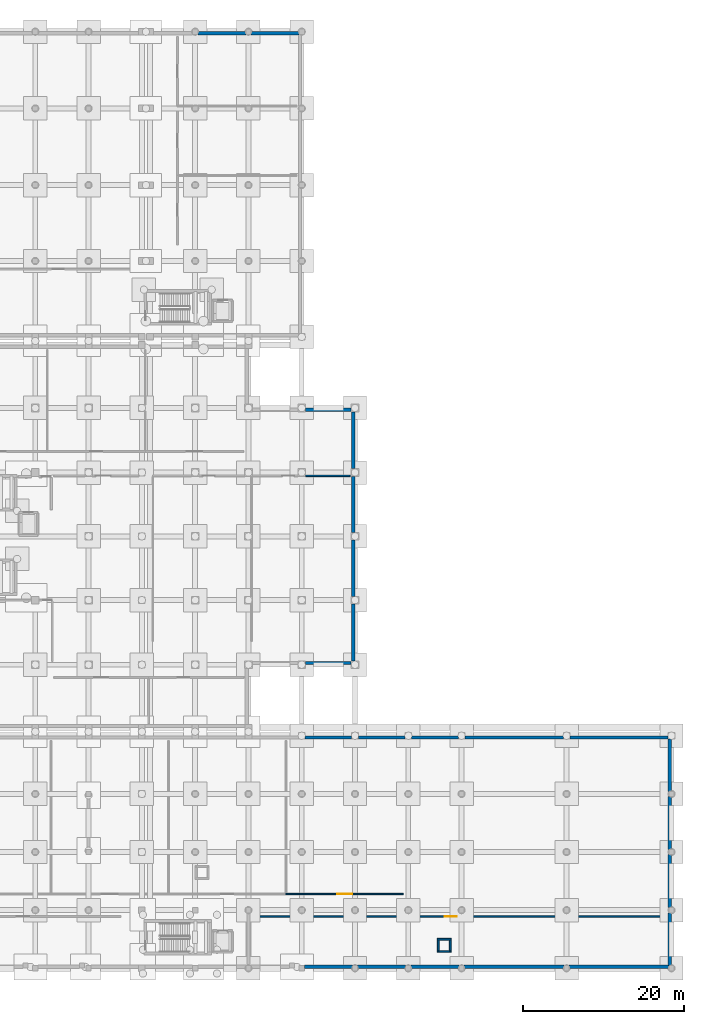
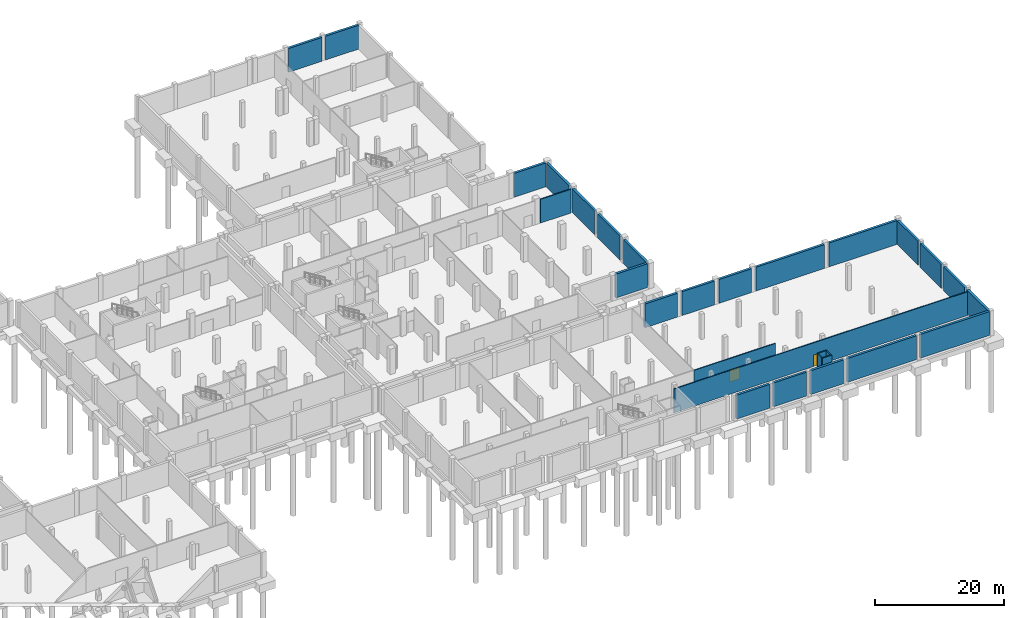
# One storey, part 21 of 29: 29 walls, 2 doors, 2 openings.
"""IFC4 building model written with IfcOpenShell, lengths in metres."""

from ifc_helpers import new_model, si_unit, direction, frame, frame_2d, origin, place, context, subcontext, project, spatial, rectangle, extrude, material, layer, layer_set, type_object, element, fill, save


model = new_model("IFC4")

# Units and contexts
model_context = context("Model", 3, precision=1e-05, world=origin(), true_north=direction((0.0, 1.0)))
body_context = subcontext(model_context, "Body", "Model", "MODEL_VIEW")
ifc_project = project(units=[si_unit("LENGTHUNIT", "METRE"), si_unit("AREAUNIT", "SQUARE_METRE"), si_unit("VOLUMEUNIT", "CUBIC_METRE"), si_unit("PLANEANGLEUNIT", "RADIAN"), si_unit("MASSUNIT", "GRAM", prefix="KILO")], contexts=[model_context])

# Site, building, storey
site_placement = place(None, origin())
site = spatial("IfcSite", under=ifc_project, at=site_placement, CompositionType="ELEMENT")
building_placement = place(site_placement, origin())
building = spatial("IfcBuilding", under=site, at=building_placement, Name="Kelarvand Opera House", CompositionType="ELEMENT")
storey_placement = place(building_placement, frame((0.0, 0.0, -9.60009765625)))
storey = spatial("IfcBuildingStorey", under=building, at=storey_placement, Name="B2", CompositionType="ELEMENT", Elevation=-9.60009765625)

# Walls
ifc_material_1 = material(Name="Concrete C35/45", Category="concrete")
ifc_layer_1 = layer(ifc_material_1, 0.419921875, Name="Concrete C35/45", Category="concrete")
ifc_layer_set_1 = layer_set([ifc_layer_1], Name="Concrete C35/45")
wall_type_1 = type_object("IfcWallType", Name="Basement Perimeter Retaining Wall 420", PredefinedType="SHEAR", material=ifc_layer_set_1)
wall_1_placement = place(storey_placement, frame((135.675048828125, 78.18994140625, 0.0), z_axis=(0.0, 0.0, 1.0), x_axis=(1.0, 0.0, 0.0)))
element("IfcWall", 1, at=wall_1_placement, inside=storey, type_object=wall_type_1, Name="V1 B2 Retaining Wall 21", PredefinedType="SHEAR", context=body_context, shape_type="SweptSolid", body=[
    extrude(rectangle(XDim=5.64990234375, YDim=0.419921875, at=frame_2d((2.824951171875, 0.0))), origin(), (0.0, 0.0, 1.0), 4.5),
])
wall_2_placement = place(storey_placement, frame((141.590087890625, 77.925048828125, 0.0), z_axis=(0.0, 0.0, 1.0), x_axis=(0.0, -1.0, 0.0)))
element("IfcWall", 2, at=wall_2_placement, inside=storey, type_object=wall_type_1, Name="V1 B2 Retaining Wall 22", PredefinedType="SHEAR", context=body_context, shape_type="SweptSolid", body=[
    extrude(rectangle(XDim=7.050048828125, YDim=0.419921875, at=frame_2d((3.52490234375, 0.0))), origin(), (0.0, 0.0, 1.0), 4.5),
])
for number, where, z_axis, x_axis, name in (
    (3, (141.590087890625, 69.925048828125, 0.0), (0.0, 0.0, 1.0), (0.0, -1.0, 0.0), "V1 B2 Retaining Wall 23"),
    (4, (141.590087890625, 62.02490234375, 0.0), (0.0, 0.0, 1.0), (0.0, -1.0, 0.0), "V1 B2 Retaining Wall 24"),
):
    element("IfcWall", number, at=place(storey_placement, frame(where, z_axis=z_axis, x_axis=x_axis)), inside=storey, type_object=wall_type_1, Name=name, PredefinedType="SHEAR", context=body_context, shape_type="SweptSolid", body=[
        extrude(rectangle(XDim=6.949951171875, YDim=0.419921875, at=frame_2d((3.47509765625, 0.0))), origin(), (0.0, 0.0, 1.0), 4.5),
    ])
wall_3_placement = place(storey_placement, frame((141.590087890625, 54.125, 0.0), z_axis=(0.0, 0.0, 1.0), x_axis=(0.0, -1.0, 0.0)))
element("IfcWall", 5, at=wall_3_placement, inside=storey, type_object=wall_type_1, Name="V1 B2 Retaining Wall 25", PredefinedType="SHEAR", context=body_context, shape_type="SweptSolid", body=[
    extrude(rectangle(XDim=7.050048828125, YDim=0.419921875, at=frame_2d((3.52490234375, 0.0))), origin(), (0.0, 0.0, 1.0), 4.5),
])
wall_4_placement = place(storey_placement, frame((141.324951171875, 46.81005859375, 0.0), z_axis=(0.0, 0.0, 1.0), x_axis=(-1.0, 0.0, 0.0)))
element("IfcWall", 6, at=wall_4_placement, inside=storey, type_object=wall_type_1, Name="V1 B2 Retaining Wall 26", PredefinedType="SHEAR", context=body_context, shape_type="SweptSolid", body=[
    extrude(rectangle(XDim=5.64990234375, YDim=0.419921875, at=frame_2d((2.824951171875, 0.0))), origin(), (0.0, 0.0, 1.0), 4.5),
])
for number, where, z_axis, x_axis, name in (
    (7, (122.324951171875, 124.7900390625, 0.0), (0.0, 0.0, 1.0), (1.0, 0.0, 0.0), "V5 B2 Retaining Wall 563"),
    (8, (128.925048828125, 124.7900390625, 0.0), (0.0, 0.0, 1.0), (1.0, 0.0, 0.0), "V5 B2 Retaining Wall 564"),
):
    element("IfcWall", number, at=place(storey_placement, frame(where, z_axis=z_axis, x_axis=x_axis)), inside=storey, type_object=wall_type_1, Name=name, PredefinedType="SHEAR", context=body_context, shape_type="SweptSolid", body=[
        extrude(rectangle(XDim=5.949951171875, YDim=0.419921875, at=frame_2d((2.97509765625, 0.0))), origin(), (0.0, 0.0, 1.0), 4.5),
    ])
wall_5_placement = place(storey_placement, frame((180.7900390625, 37.389892578125, 0.0), z_axis=(0.0, 0.0, 1.0), x_axis=(0.0, -1.0, 0.0)))
element("IfcWall", 9, at=wall_5_placement, inside=storey, type_object=wall_type_1, Name="V6 B2 Retaining Wall 633", PredefinedType="SHEAR", context=body_context, shape_type="SweptSolid", body=[
    extrude(rectangle(XDim=6.46484375, YDim=0.419921875, at=frame_2d((3.232421875, 0.0))), origin(), (0.0, 0.0, 1.0), 4.5),
])
wall_6_placement = place(storey_placement, frame((180.7900390625, 30.27490234375, 0.0), z_axis=(0.0, 0.0, 1.0), x_axis=(0.0, -1.0, 0.0)))
element("IfcWall", 10, at=wall_6_placement, inside=storey, type_object=wall_type_1, Name="V6 B2 Retaining Wall 634", PredefinedType="SHEAR", context=body_context, shape_type="SweptSolid", body=[
    extrude(rectangle(XDim=6.5498046875, YDim=0.419921875, at=frame_2d((3.27490234375, 0.0))), origin(), (0.0, 0.0, 1.0), 4.5),
])
for number, where, z_axis, x_axis, name in (
    (11, (180.7900390625, 23.074951171875, 0.0), (0.0, 0.0, 1.0), (0.0, -1.0, 0.0), "V6 B2 Retaining Wall 635"),
    (12, (180.7900390625, 15.875, 0.0), (0.0, 0.0, 1.0), (0.0, -1.0, 0.0), "V6 B2 Retaining Wall 636"),
):
    element("IfcWall", number, at=place(storey_placement, frame(where, z_axis=z_axis, x_axis=x_axis)), inside=storey, type_object=wall_type_1, Name=name, PredefinedType="SHEAR", context=body_context, shape_type="SweptSolid", body=[
        extrude(rectangle(XDim=6.550048828125, YDim=0.419921875, at=frame_2d((3.27490234375, 0.0))), origin(), (0.0, 0.0, 1.0), 4.5),
    ])
wall_7_placement = place(storey_placement, frame((135.610107421875, 37.590087890625, 0.0), z_axis=(0.0, 0.0, 1.0), x_axis=(1.0, 0.0, 0.0)))
element("IfcWall", 13, at=wall_7_placement, inside=storey, type_object=wall_type_1, Name="V6 B2 Retaining Wall 644", PredefinedType="SHEAR", context=body_context, shape_type="SweptSolid", body=[
    extrude(rectangle(XDim=5.77978515625, YDim=0.419921875, at=frame_2d((2.889892578125, 0.0))), origin(), (0.0, 0.0, 1.0), 4.5),
])
for number, where, z_axis, x_axis, name in (
    (14, (142.2099609375, 37.590087890625, 0.0), (0.0, 0.0, 1.0), (1.0, 0.0, 0.0), "V6 B2 Retaining Wall 645"),
    (15, (148.81005859375, 37.590087890625, 0.0), (0.0, 0.0, 1.0), (1.0, 0.0, 0.0), "V6 B2 Retaining Wall 646"),
):
    element("IfcWall", number, at=place(storey_placement, frame(where, z_axis=z_axis, x_axis=x_axis)), inside=storey, type_object=wall_type_1, Name=name, PredefinedType="SHEAR", context=body_context, shape_type="SweptSolid", body=[
        extrude(rectangle(XDim=5.780029296875, YDim=0.419921875, at=frame_2d((2.89013671875, 0.0))), origin(), (0.0, 0.0, 1.0), 4.5),
    ])
for number, where, z_axis, x_axis, name in (
    (16, (155.409912109375, 37.590087890625, 0.0), (0.0, 0.0, 1.0), (1.0, 0.0, 0.0), "V6 B2 Retaining Wall 647"),
    (17, (168.409912109375, 37.590087890625, 0.0), (0.0, 0.0, 1.0), (1.0, 0.0, 0.0), "V6 B2 Retaining Wall 648"),
):
    element("IfcWall", number, at=place(storey_placement, frame(where, z_axis=z_axis, x_axis=x_axis)), inside=storey, type_object=wall_type_1, Name=name, PredefinedType="SHEAR", context=body_context, shape_type="SweptSolid", body=[
        extrude(rectangle(XDim=12.18017578125, YDim=0.419921875, at=frame_2d((6.090087890625, 0.0))), origin(), (0.0, 0.0, 1.0), 4.5),
    ])
for number, where, z_axis, x_axis, name in (
    (18, (180.675048828125, 9.2099609375, 0.0), (0.0, 0.0, 1.0), (-1.0, 0.0, 0.0), "V6 B2 Retaining Wall 653"),
    (19, (167.675048828125, 9.2099609375, 0.0), (0.0, 0.0, 1.0), (-1.0, 0.0, 0.0), "V6 B2 Retaining Wall 654"),
):
    element("IfcWall", number, at=place(storey_placement, frame(where, z_axis=z_axis, x_axis=x_axis)), inside=storey, type_object=wall_type_1, Name=name, PredefinedType="SHEAR", context=body_context, shape_type="SweptSolid", body=[
        extrude(rectangle(XDim=12.35009765625, YDim=0.419921875, at=frame_2d((6.175048828125, 0.0))), origin(), (0.0, 0.0, 1.0), 4.5),
    ])
for number, where, z_axis, x_axis, name in (
    (20, (154.675048828125, 9.2099609375, 0.0), (0.0, 0.0, 1.0), (-1.0, 0.0, 0.0), "V6 B2 Retaining Wall 655"),
    (21, (148.074951171875, 9.2099609375, 0.0), (0.0, 0.0, 1.0), (-1.0, 0.0, 0.0), "V6 B2 Retaining Wall 656"),
):
    element("IfcWall", number, at=place(storey_placement, frame(where, z_axis=z_axis, x_axis=x_axis)), inside=storey, type_object=wall_type_1, Name=name, PredefinedType="SHEAR", context=body_context, shape_type="SweptSolid", body=[
        extrude(rectangle(XDim=5.949951171875, YDim=0.419921875, at=frame_2d((2.97509765625, 0.0))), origin(), (0.0, 0.0, 1.0), 4.5),
    ])
wall_8_placement = place(storey_placement, frame((141.47509765625, 9.2099609375, 0.0), z_axis=(0.0, 0.0, 1.0), x_axis=(-1.0, 0.0, 0.0)))
element("IfcWall", 22, at=wall_8_placement, inside=storey, type_object=wall_type_1, Name="V6 B2 Retaining Wall 657", PredefinedType="SHEAR", context=body_context, shape_type="SweptSolid", body=[
    extrude(rectangle(XDim=5.9501953125, YDim=0.419921875, at=frame_2d((2.97509765625, 0.0))), origin(), (0.0, 0.0, 1.0), 4.5),
])
ifc_layer_2 = layer(ifc_material_1, 0.179931640625, Name="Concrete C35/45", Category="concrete")
ifc_layer_set_2 = layer_set([ifc_layer_2], Name="Concrete C35/45")
wall_type_2 = type_object("IfcWallType", Name="Corridor Fire-Rated Partition Wall 180 EI90", PredefinedType="PARTITIONING", material=ifc_layer_set_2)
wall_9_placement = place(storey_placement, frame((135.675048828125, 70.0, 0.0), z_axis=(0.0, 0.0, 1.0), x_axis=(1.0, 0.0, 0.0)))
element("IfcWall", 23, at=wall_9_placement, inside=storey, type_object=wall_type_2, Name="V1 B2 Partition Wall IW-90 (41)", PredefinedType="PARTITIONING", context=body_context, shape_type="SweptSolid", body=[
    extrude(rectangle(XDim=5.52490234375, YDim=0.179931640625, at=frame_2d((2.762451171875, 0.0))), origin(), (0.0, 0.0, 1.0), 4.4921875),
])

# Wall, opening, door
wall_10_placement = place(storey_placement, frame((128.0, 15.39990234375, 0.0), z_axis=(0.0, 0.0, 1.0), x_axis=(1.0, 0.0, 0.0)))
wall_10 = element("IfcWall", 24, at=wall_10_placement, inside=storey, type_object=wall_type_2, Name="V6 B2 Partition Wall IW-90 (100)", PredefinedType="PARTITIONING", context=body_context, shape_type="SweptSolid", body=[
    extrude(rectangle(XDim=52.39990234375, YDim=0.179931640625, at=frame_2d((26.199951171875, 0.0))), origin(), (0.0, 0.0, 1.0), 4.4921875),
])
opening_1_placement = place(wall_10_placement, frame((24.93505859375, 0.0, 0.0)))
opening_1 = element("IfcOpeningElement", 25, at=opening_1_placement, cuts=wall_10, Name="Opening D-13", PredefinedType="OPENING", context=body_context, shape_type="SweptSolid", body=[
    extrude(rectangle(XDim=1.47998046875, YDim=2.179931640625, at=frame_2d((0.739990234375, 1.08984375))), frame((0.0, 0.10009765625, 0.0), z_axis=(0.0, -1.0, 0.0), x_axis=(1.0, 0.0, 0.0)), (0.0, 0.0, 1.0), 0.199951171875),
])
ifc_material_2 = material(Name="Acoustic walnut-veneered hardwood", Category="wood")
door_type_1 = type_object("IfcDoorType", Name="Academy Recital Double Door 1480x2180", OperationType="NOTDEFINED", PredefinedType="DOOR", material=ifc_material_2)
door_1_placement = place(opening_1_placement, origin())
door_1 = element("IfcDoor", 26, at=door_1_placement, inside=storey, type_object=door_type_1, Name="V6 B2 Door D-13 (43)", OperationType="DOUBLE_DOOR_SINGLE_SWING", OverallHeight=2.179931640625, OverallWidth=1.47998046875, PredefinedType="DOOR", context=body_context, shape_type="SweptSolid", body=[
    extrude(rectangle(XDim=1.47998046875, YDim=2.179931640625, at=frame_2d((0.739990234375, 1.08984375))), frame((0.0, 0.02490234375, 0.0), z_axis=(0.0, -1.0, 0.0), x_axis=(1.0, 0.0, 0.0)), (0.0, 0.0, 1.0), 0.050048828125),
])
fill(opening_1, door_1)

wall_11_placement = place(storey_placement, frame((133.25, 18.199951171875, 0.0), z_axis=(0.0, 0.0, 1.0), x_axis=(1.0, 0.0, 0.0)))
wall_11 = element("IfcWall", 27, at=wall_11_placement, inside=storey, type_object=wall_type_2, Name="V6 B2 Partition Wall IW-90 (107)", PredefinedType="PARTITIONING", context=body_context, shape_type="SweptSolid", body=[
    extrude(rectangle(XDim=14.550048828125, YDim=0.179931640625, at=frame_2d((7.27490234375, 0.0))), origin(), (0.0, 0.0, 1.0), 4.4921875),
])
opening_2_placement = place(wall_11_placement, frame((6.324951171875, 0.0, 0.0)))
opening_2 = element("IfcOpeningElement", 28, at=opening_2_placement, cuts=wall_11, Name="Opening D-16", PredefinedType="OPENING", context=body_context, shape_type="SweptSolid", body=[
    extrude(rectangle(XDim=1.89990234375, YDim=2.260009765625, at=frame_2d((0.949951171875, 1.1298828125))), frame((0.0, 0.10009765625, 0.0), z_axis=(0.0, -1.0, 0.0), x_axis=(1.0, 0.0, 0.0)), (0.0, 0.0, 1.0), 0.199951171875),
])
door_type_2 = type_object("IfcDoorType", Name="Orchestra Warm-Up Double Door 1900x2260", OperationType="NOTDEFINED", PredefinedType="DOOR", material=ifc_material_2)
door_2_placement = place(opening_2_placement, origin())
door_2 = element("IfcDoor", 29, at=door_2_placement, inside=storey, type_object=door_type_2, Name="V6 B2 Door D-16 (47)", OperationType="DOUBLE_DOOR_SINGLE_SWING", OverallHeight=2.260009765625, OverallWidth=1.89990234375, PredefinedType="DOOR", context=body_context, shape_type="SweptSolid", body=[
    extrude(rectangle(XDim=1.89990234375, YDim=2.260009765625, at=frame_2d((0.949951171875, 1.1298828125))), frame((0.0, 0.02490234375, 0.0), z_axis=(0.0, -1.0, 0.0), x_axis=(1.0, 0.0, 0.0)), (0.0, 0.0, 1.0), 0.050048828125),
])
fill(opening_2, door_2)

# Walls
ifc_layer_3 = layer(ifc_material_1, 0.199951171875, Name="Concrete C35/45", Category="concrete")
ifc_layer_set_3 = layer_set([ifc_layer_3], Name="Concrete C35/45")
wall_type_3 = type_object("IfcWallType", Name="Lift and Riser Shaft Enclosure Wall 200 EI120", PredefinedType="PARTITIONING", material=ifc_layer_set_3)
for number, where, z_axis, x_axis, name in (
    (30, (152.0, 11.10009765625, 0.0), (0.0, 0.0, 1.0), (1.0, 0.0, 0.0), "RSR-V6B B2 Riser Shaft Wall 85"),
    (31, (153.699951171875, 12.60009765625, 0.0), (0.0, 0.0, 1.0), (-1.0, 0.0, 0.0), "RSR-V6B B2 Riser Shaft Wall 86"),
):
    element("IfcWall", number, at=place(storey_placement, frame(where, z_axis=z_axis, x_axis=x_axis)), inside=storey, type_object=wall_type_3, Name=name, PredefinedType="PARTITIONING", context=body_context, shape_type="SweptSolid", body=[
        extrude(rectangle(XDim=1.699951171875, YDim=0.199951171875, at=frame_2d((0.85009765625, 0.0))), origin(), (0.0, 0.0, 1.0), 4.5),
    ])
for number, where, z_axis, x_axis, name in (
    (32, (152.10009765625, 11.199951171875, 0.0), (0.0, 0.0, 1.0), (0.0, 1.0, 0.0), "RSR-V6B B2 Riser Shaft Wall 87"),
    (33, (153.60009765625, 12.5, 0.0), (0.0, 0.0, 1.0), (0.0, -1.0, 0.0), "RSR-V6B B2 Riser Shaft Wall 88"),
):
    element("IfcWall", number, at=place(storey_placement, frame(where, z_axis=z_axis, x_axis=x_axis)), inside=storey, type_object=wall_type_3, Name=name, PredefinedType="PARTITIONING", context=body_context, shape_type="SweptSolid", body=[
        extrude(rectangle(XDim=1.300048828125, YDim=0.199951171875, at=frame_2d((0.64990234375, 0.0))), origin(), (0.0, 0.0, 1.0), 4.5),
    ])

save(model, "model.ifc")
